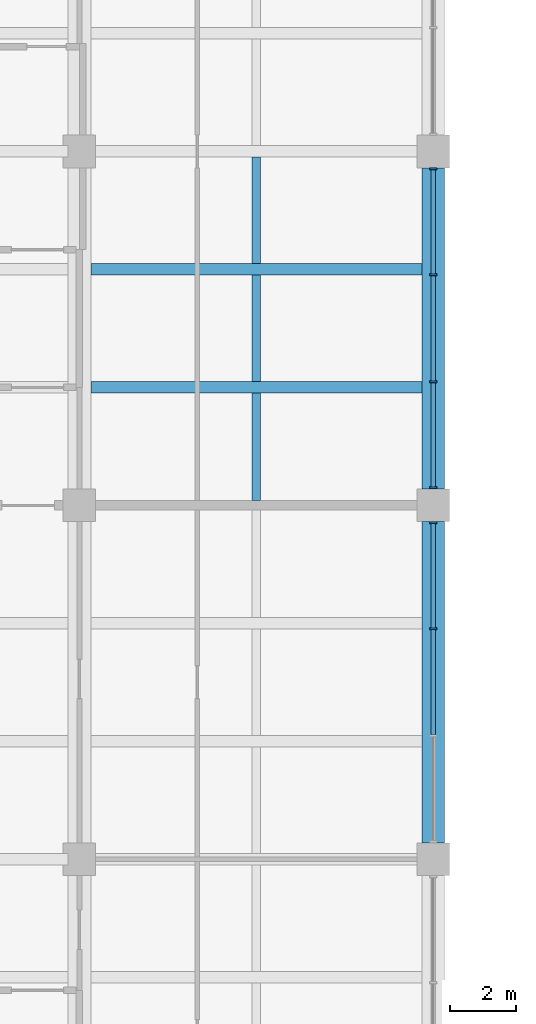
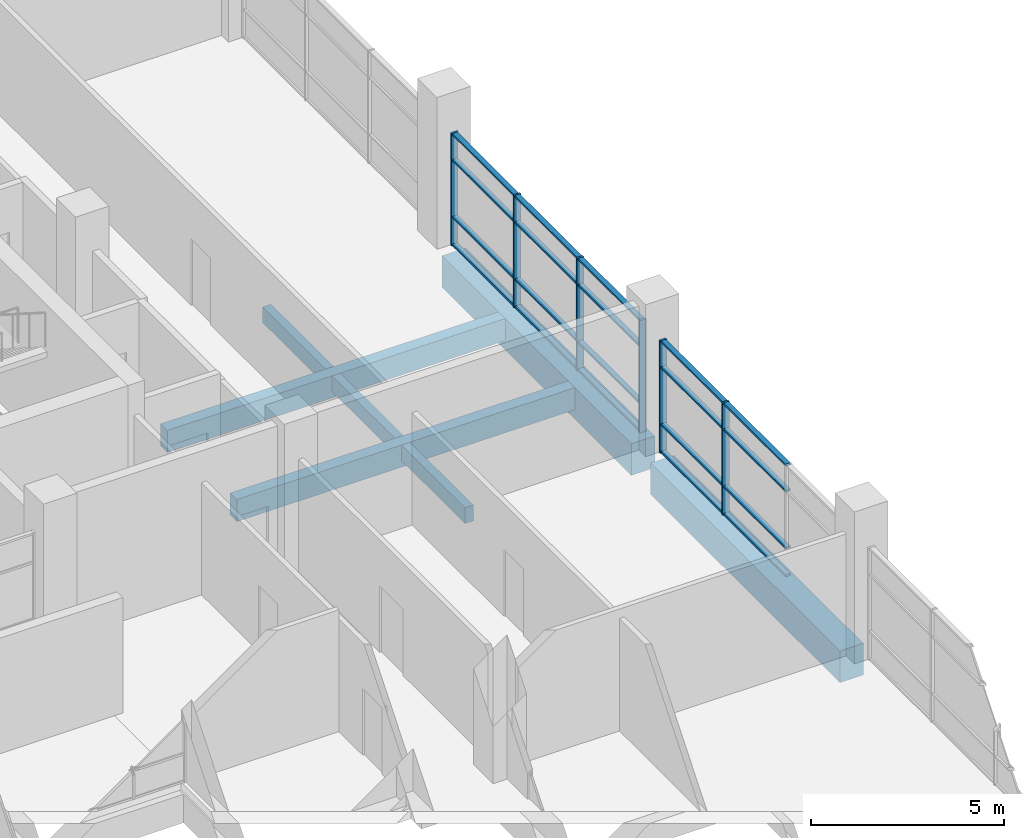
# One storey, part 4 of 30: 26 members, 7 beams, 2 elements without a shape of their own.
"""IFC4 building model written with IfcOpenShell, lengths in metres."""

from ifc_helpers import new_model, si_unit, direction, frame, origin, origin_2d, place, context, subcontext, project, spatial, rectangle, extrude, material, layer, layer_set, material_profile, profile_set, type_object, element, aggregate, save


model = new_model("IFC4")

# Units and contexts
model_context = context("Model", 3, precision=1e-05, world=origin(), true_north=direction((0.0, 1.0)))
body_context = subcontext(model_context, "Body", "Model", "MODEL_VIEW")
ifc_project = project(units=[si_unit("LENGTHUNIT", "METRE"), si_unit("AREAUNIT", "SQUARE_METRE"), si_unit("VOLUMEUNIT", "CUBIC_METRE"), si_unit("PLANEANGLEUNIT", "RADIAN"), si_unit("MASSUNIT", "GRAM", prefix="KILO")], contexts=[model_context])

# Site, building, storey
site_placement = place(None, origin())
site = spatial("IfcSite", under=ifc_project, at=site_placement, CompositionType="ELEMENT")
building_placement = place(site_placement, origin())
building = spatial("IfcBuilding", under=site, at=building_placement, Name="Basin Gate Institute", CompositionType="ELEMENT")
storey_placement = place(building_placement, frame((0.0, 0.0, 36.60009765625)))
storey = spatial("IfcBuildingStorey", under=building, at=storey_placement, Name="L07", CompositionType="ELEMENT", Elevation=36.60009765625)

# Beams
ifc_material_1 = material(Name="Concrete 40 MPa", Category="concrete")
ifc_material_profile_1 = material_profile(ifc_material_1, rectangle(XDim=0.35009765625, YDim=0.699951171875, at=origin_2d()), Name="Beam B1 350 x 700")
ifc_profile_set_1 = profile_set([ifc_material_profile_1], Name="Concrete 40 MPa")
beam_type_1 = type_object("IfcBeamType", Name="Beam B1 R120", PredefinedType="BEAM", material=ifc_profile_set_1)
for number, where, z_axis, x_axis, name in (
    (1, (68.75, 60.300048828125, -0.60009765625), (1.0, 0.0, 0.0), (0.0, 1.0, 0.0), "BEAM/L07/W/EW/08"),
    (2, (68.75, 63.89990234375, -0.60009765625), (1.0, 0.0, 0.0), (0.0, 1.0, 0.0), "BEAM/L07/W/EW/09"),
):
    element("IfcBeam", number, at=place(storey_placement, frame(where, z_axis=z_axis, x_axis=x_axis)), inside=storey, type_object=beam_type_1, material=ifc_profile_set_1, Name=name, PredefinedType="BEAM", context=body_context, shape_type="SweptSolid", body=[
        extrude(rectangle(XDim=0.35009765625, YDim=0.699951171875, at=origin_2d()), origin(), (0.0, 0.0, 1.0), 10.10009765625),
    ])
ifc_material_2 = material(Name="Concrete 50 MPa", Category="concrete")
ifc_material_profile_2 = material_profile(ifc_material_2, rectangle(XDim=0.699951171875, YDim=1.0, at=origin_2d()), Name="Girder G1 700 x 1000")
ifc_profile_set_2 = profile_set([ifc_material_profile_2], Name="Concrete 50 MPa")
beam_type_2 = type_object("IfcBeamType", Name="Girder G1 R120", PredefinedType="BEAM", material=ifc_profile_set_2)
for number, where, z_axis, x_axis, name in (
    (3, (79.199951171875, 46.39990234375, -0.75), (0.0, 1.0, 0.0), (-1.0, 0.0, 0.0), "GIR/L07/W6/2"),
    (4, (79.199951171875, 57.199951171875, -0.75), (0.0, 1.0, 0.0), (-1.0, 0.0, 0.0), "GIR/L07/W6/3"),
):
    element("IfcBeam", number, at=place(storey_placement, frame(where, z_axis=z_axis, x_axis=x_axis)), inside=storey, type_object=beam_type_2, material=ifc_profile_set_2, Name=name, PredefinedType="BEAM", context=body_context, shape_type="SweptSolid", body=[
        extrude(rectangle(XDim=0.699951171875, YDim=1.0, at=origin_2d()), origin(), (0.0, 0.0, 1.0), 9.800048828125),
    ])

# Curtain wall, members
ifc_material_3 = material(Name="Aluminium-framed glazing", Category="aluminium")
ifc_layer = layer(ifc_material_3, 0.199951171875)
ifc_layer_set = layer_set([ifc_layer], Name="Atrium curtain wall CW2")
curtain_wall_type = type_object("IfcCurtainWallType", Name="Atrium curtain wall CW2", PredefinedType="NOTDEFINED", material=ifc_layer_set)
curtain_wall_1_placement = place(storey_placement, origin())
curtain_wall_1 = element("IfcCurtainWall", 5, at=curtain_wall_1_placement, inside=storey, type_object=curtain_wall_type, material=ifc_layer_set, Name="Atrium curtain wall W wing atrium bay 2 L07", PredefinedType="NOTDEFINED")
ifc_material_4 = material(Name="Aluminium", Category="aluminium")
ifc_material_profile_3 = material_profile(ifc_material_4, rectangle(XDim=0.199951171875, YDim=0.06005859375, at=origin_2d()), Name="Mullion MU2 200 x 60")
ifc_profile_set_3 = profile_set([ifc_material_profile_3], Name="Aluminium")
member_type_1 = type_object("IfcMemberType", Name="Mullion MU2", PredefinedType="MULLION", material=ifc_profile_set_3)
member_1_placement = place(storey_placement, frame((79.199951171875, 52.933349609375, 0.0), z_axis=(0.0, 0.0, 1.0), x_axis=(-1.0, 0.0, 0.0)))
member_1 = element("IfcMember", 6, at=member_1_placement, type_object=member_type_1, material=ifc_profile_set_3, Name="CW2 mullion 3", PredefinedType="MULLION", context=body_context, shape_type="SweptSolid", body=[
    extrude(rectangle(XDim=0.199951171875, YDim=0.06005859375, at=origin_2d()), origin(), (0.0, 0.0, 1.0), 3.5498046875),
])
member_2_placement = place(storey_placement, frame((79.199951171875, 56.169921875, 0.0), z_axis=(0.0, 0.0, 1.0), x_axis=(-1.0, 0.0, 0.0)))
member_2 = element("IfcMember", 7, at=member_2_placement, type_object=member_type_1, material=ifc_profile_set_3, Name="CW2 mullion 4", PredefinedType="MULLION", context=body_context, shape_type="SweptSolid", body=[
    extrude(rectangle(XDim=0.199951171875, YDim=0.06005859375, at=origin_2d()), origin(), (0.0, 0.0, 1.0), 3.5498046875),
])

curtain_wall_2_placement = place(storey_placement, origin())
curtain_wall_2 = element("IfcCurtainWall", 8, at=curtain_wall_2_placement, inside=storey, type_object=curtain_wall_type, material=ifc_layer_set, Name="Atrium curtain wall W wing atrium bay 3 L07", PredefinedType="NOTDEFINED")
member_3_placement = place(storey_placement, frame((79.199951171875, 57.22998046875, 0.0), z_axis=(0.0, 0.0, 1.0), x_axis=(-1.0, 0.0, 0.0)))
member_3 = element("IfcMember", 9, at=member_3_placement, type_object=member_type_1, material=ifc_profile_set_3, Name="CW2 mullion 1", PredefinedType="MULLION", context=body_context, shape_type="SweptSolid", body=[
    extrude(rectangle(XDim=0.199951171875, YDim=0.06005859375, at=origin_2d()), origin(), (0.0, 0.0, 1.0), 3.5498046875),
])
member_4_placement = place(storey_placement, frame((79.199951171875, 60.466552734375, 0.0), z_axis=(0.0, 0.0, 1.0), x_axis=(-1.0, 0.0, 0.0)))
member_4 = element("IfcMember", 10, at=member_4_placement, type_object=member_type_1, material=ifc_profile_set_3, Name="CW2 mullion 2", PredefinedType="MULLION", context=body_context, shape_type="SweptSolid", body=[
    extrude(rectangle(XDim=0.199951171875, YDim=0.06005859375, at=origin_2d()), origin(), (0.0, 0.0, 1.0), 3.5498046875),
])
member_5_placement = place(storey_placement, frame((79.199951171875, 63.7333984375, 0.0), z_axis=(0.0, 0.0, 1.0), x_axis=(-1.0, 0.0, 0.0)))
member_5 = element("IfcMember", 11, at=member_5_placement, type_object=member_type_1, material=ifc_profile_set_3, Name="CW2 mullion 3", PredefinedType="MULLION", context=body_context, shape_type="SweptSolid", body=[
    extrude(rectangle(XDim=0.199951171875, YDim=0.06005859375, at=origin_2d()), origin(), (0.0, 0.0, 1.0), 3.5498046875),
])
member_6_placement = place(storey_placement, frame((79.199951171875, 66.969970703125, 0.0), z_axis=(0.0, 0.0, 1.0), x_axis=(-1.0, 0.0, 0.0)))
member_6 = element("IfcMember", 12, at=member_6_placement, type_object=member_type_1, material=ifc_profile_set_3, Name="CW2 mullion 4", PredefinedType="MULLION", context=body_context, shape_type="SweptSolid", body=[
    extrude(rectangle(XDim=0.199951171875, YDim=0.06005859375, at=origin_2d()), origin(), (0.0, 0.0, 1.0), 3.5498046875),
])

# Beams
ifc_material_5 = material(Name="Concrete 40 MPa", Category="concrete")
ifc_material_profile_4 = material_profile(ifc_material_5, rectangle(XDim=0.25, YDim=0.5, at=origin_2d()), Name="Rib R1 250 x 500")
ifc_profile_set_4 = profile_set([ifc_material_profile_4], Name="Concrete 40 MPa")
beam_type_3 = type_object("IfcBeamType", Name="Rib R1 R120", PredefinedType="JOIST", material=ifc_profile_set_4)
beam_placement = place(storey_placement, frame((73.800048828125, 56.85009765625, -0.5), z_axis=(0.0, 1.0, 0.0), x_axis=(-1.0, 0.0, 0.0)))
element("IfcBeam", 13, at=beam_placement, inside=storey, type_object=beam_type_3, material=ifc_profile_set_4, Name="BEAM/L07/W/RIB/07", PredefinedType="JOIST", context=body_context, shape_type="SweptSolid", body=[
    extrude(rectangle(XDim=0.25, YDim=0.5, at=origin_2d()), origin(), (0.0, 0.0, 1.0), 3.27490234375),
])
for number, where, z_axis, x_axis, name in (
    (14, (73.800048828125, 60.47509765625, -0.5), (0.0, 1.0, 0.0), (-1.0, 0.0, 0.0), "BEAM/L07/W/RIB/08"),
    (15, (73.800048828125, 64.074951171875, -0.5), (0.0, 1.0, 0.0), (-1.0, 0.0, 0.0), "BEAM/L07/W/RIB/09"),
):
    element("IfcBeam", number, at=place(storey_placement, frame(where, z_axis=z_axis, x_axis=x_axis)), inside=storey, type_object=beam_type_3, material=ifc_profile_set_4, Name=name, PredefinedType="JOIST", context=body_context, shape_type="SweptSolid", body=[
        extrude(rectangle(XDim=0.25, YDim=0.5, at=origin_2d()), origin(), (0.0, 0.0, 1.0), 3.25),
    ])

# Member
ifc_material_6 = material(Name="Aluminium", Category="aluminium")
ifc_material_profile_5 = material_profile(ifc_material_6, rectangle(XDim=0.14990234375, YDim=0.06005859375, at=origin_2d()), Name="Transom TR2 150 x 60")
ifc_profile_set_5 = profile_set([ifc_material_profile_5], Name="Aluminium")
member_type_2 = type_object("IfcMemberType", Name="Transom TR2", PredefinedType="USERDEFINED", material=ifc_profile_set_5)
member_7_placement = place(storey_placement, frame((79.199951171875, 49.69677734375, 0.02978515625), z_axis=(0.0, 1.0, 0.0), x_axis=(-1.0, 0.0, 0.0)))
member_7 = element("IfcMember", 16, at=member_7_placement, type_object=member_type_2, material=ifc_profile_set_5, Name="CW2 transom 2.1", ObjectType="TRANSOM", PredefinedType="USERDEFINED", context=body_context, shape_type="SweptSolid", body=[
    extrude(rectangle(XDim=0.14990234375, YDim=0.06005859375, at=origin_2d()), origin(), (0.0, 0.0, 1.0), 3.20654296875),
])

member_8_placement = place(storey_placement, frame((79.199951171875, 49.69677734375, 0.89990234375), z_axis=(0.0, 1.0, 0.0), x_axis=(-1.0, 0.0, 0.0)))
member_8 = element("IfcMember", 17, at=member_8_placement, type_object=member_type_2, material=ifc_profile_set_5, Name="CW2 transom 2.2", ObjectType="TRANSOM", PredefinedType="USERDEFINED", context=body_context, shape_type="SweptSolid", body=[
    extrude(rectangle(XDim=0.14990234375, YDim=0.06005859375, at=origin_2d()), origin(), (0.0, 0.0, 1.0), 3.20654296875),
])

member_9_placement = place(storey_placement, frame((79.199951171875, 49.69677734375, 2.699951171875), z_axis=(0.0, 1.0, 0.0), x_axis=(-1.0, 0.0, 0.0)))
member_9 = element("IfcMember", 18, at=member_9_placement, type_object=member_type_2, material=ifc_profile_set_5, Name="CW2 transom 2.3", ObjectType="TRANSOM", PredefinedType="USERDEFINED", context=body_context, shape_type="SweptSolid", body=[
    extrude(rectangle(XDim=0.14990234375, YDim=0.06005859375, at=origin_2d()), origin(), (0.0, 0.0, 1.0), 3.20654296875),
])

member_10_placement = place(storey_placement, frame((79.199951171875, 49.69677734375, 3.52001953125), z_axis=(0.0, 1.0, 0.0), x_axis=(-1.0, 0.0, 0.0)))
member_10 = element("IfcMember", 19, at=member_10_placement, type_object=member_type_2, material=ifc_profile_set_5, Name="CW2 transom 2.4", ObjectType="TRANSOM", PredefinedType="USERDEFINED", context=body_context, shape_type="SweptSolid", body=[
    extrude(rectangle(XDim=0.14990234375, YDim=0.06005859375, at=origin_2d()), origin(), (0.0, 0.0, 1.0), 3.20654296875),
])

member_11_placement = place(storey_placement, frame((79.199951171875, 52.96337890625, 0.02978515625), z_axis=(0.0, 1.0, 0.0), x_axis=(-1.0, 0.0, 0.0)))
member_11 = element("IfcMember", 20, at=member_11_placement, type_object=member_type_2, material=ifc_profile_set_5, Name="CW2 transom 3.1", ObjectType="TRANSOM", PredefinedType="USERDEFINED", context=body_context, shape_type="SweptSolid", body=[
    extrude(rectangle(XDim=0.14990234375, YDim=0.06005859375, at=origin_2d()), origin(), (0.0, 0.0, 1.0), 3.176513671875),
])

member_12_placement = place(storey_placement, frame((79.199951171875, 52.96337890625, 0.89990234375), z_axis=(0.0, 1.0, 0.0), x_axis=(-1.0, 0.0, 0.0)))
member_12 = element("IfcMember", 21, at=member_12_placement, type_object=member_type_2, material=ifc_profile_set_5, Name="CW2 transom 3.2", ObjectType="TRANSOM", PredefinedType="USERDEFINED", context=body_context, shape_type="SweptSolid", body=[
    extrude(rectangle(XDim=0.14990234375, YDim=0.06005859375, at=origin_2d()), origin(), (0.0, 0.0, 1.0), 3.176513671875),
])

member_13_placement = place(storey_placement, frame((79.199951171875, 52.96337890625, 2.699951171875), z_axis=(0.0, 1.0, 0.0), x_axis=(-1.0, 0.0, 0.0)))
member_13 = element("IfcMember", 22, at=member_13_placement, type_object=member_type_2, material=ifc_profile_set_5, Name="CW2 transom 3.3", ObjectType="TRANSOM", PredefinedType="USERDEFINED", context=body_context, shape_type="SweptSolid", body=[
    extrude(rectangle(XDim=0.14990234375, YDim=0.06005859375, at=origin_2d()), origin(), (0.0, 0.0, 1.0), 3.176513671875),
])

member_14_placement = place(storey_placement, frame((79.199951171875, 52.96337890625, 3.52001953125), z_axis=(0.0, 1.0, 0.0), x_axis=(-1.0, 0.0, 0.0)))
member_14 = element("IfcMember", 23, at=member_14_placement, type_object=member_type_2, material=ifc_profile_set_5, Name="CW2 transom 3.4", ObjectType="TRANSOM", PredefinedType="USERDEFINED", context=body_context, shape_type="SweptSolid", body=[
    extrude(rectangle(XDim=0.14990234375, YDim=0.06005859375, at=origin_2d()), origin(), (0.0, 0.0, 1.0), 3.176513671875),
])

aggregate(curtain_wall_1, [member_1, member_2, member_7, member_8, member_9, member_10, member_11, member_12, member_13, member_14])

member_15_placement = place(storey_placement, frame((79.199951171875, 57.260009765625, 0.02978515625), z_axis=(0.0, 1.0, 0.0), x_axis=(-1.0, 0.0, 0.0)))
member_15 = element("IfcMember", 24, at=member_15_placement, type_object=member_type_2, material=ifc_profile_set_5, Name="CW2 transom 1.1", ObjectType="TRANSOM", PredefinedType="USERDEFINED", context=body_context, shape_type="SweptSolid", body=[
    extrude(rectangle(XDim=0.14990234375, YDim=0.06005859375, at=origin_2d()), origin(), (0.0, 0.0, 1.0), 3.1767578125),
])

member_16_placement = place(storey_placement, frame((79.199951171875, 57.260009765625, 0.89990234375), z_axis=(0.0, 1.0, 0.0), x_axis=(-1.0, 0.0, 0.0)))
member_16 = element("IfcMember", 25, at=member_16_placement, type_object=member_type_2, material=ifc_profile_set_5, Name="CW2 transom 1.2", ObjectType="TRANSOM", PredefinedType="USERDEFINED", context=body_context, shape_type="SweptSolid", body=[
    extrude(rectangle(XDim=0.14990234375, YDim=0.06005859375, at=origin_2d()), origin(), (0.0, 0.0, 1.0), 3.1767578125),
])

member_17_placement = place(storey_placement, frame((79.199951171875, 57.260009765625, 2.699951171875), z_axis=(0.0, 1.0, 0.0), x_axis=(-1.0, 0.0, 0.0)))
member_17 = element("IfcMember", 26, at=member_17_placement, type_object=member_type_2, material=ifc_profile_set_5, Name="CW2 transom 1.3", ObjectType="TRANSOM", PredefinedType="USERDEFINED", context=body_context, shape_type="SweptSolid", body=[
    extrude(rectangle(XDim=0.14990234375, YDim=0.06005859375, at=origin_2d()), origin(), (0.0, 0.0, 1.0), 3.1767578125),
])

member_18_placement = place(storey_placement, frame((79.199951171875, 57.260009765625, 3.52001953125), z_axis=(0.0, 1.0, 0.0), x_axis=(-1.0, 0.0, 0.0)))
member_18 = element("IfcMember", 27, at=member_18_placement, type_object=member_type_2, material=ifc_profile_set_5, Name="CW2 transom 1.4", ObjectType="TRANSOM", PredefinedType="USERDEFINED", context=body_context, shape_type="SweptSolid", body=[
    extrude(rectangle(XDim=0.14990234375, YDim=0.06005859375, at=origin_2d()), origin(), (0.0, 0.0, 1.0), 3.1767578125),
])

member_19_placement = place(storey_placement, frame((79.199951171875, 60.49658203125, 0.02978515625), z_axis=(0.0, 1.0, 0.0), x_axis=(-1.0, 0.0, 0.0)))
member_19 = element("IfcMember", 28, at=member_19_placement, type_object=member_type_2, material=ifc_profile_set_5, Name="CW2 transom 2.1", ObjectType="TRANSOM", PredefinedType="USERDEFINED", context=body_context, shape_type="SweptSolid", body=[
    extrude(rectangle(XDim=0.14990234375, YDim=0.06005859375, at=origin_2d()), origin(), (0.0, 0.0, 1.0), 3.206787109375),
])

member_20_placement = place(storey_placement, frame((79.199951171875, 60.49658203125, 0.89990234375), z_axis=(0.0, 1.0, 0.0), x_axis=(-1.0, 0.0, 0.0)))
member_20 = element("IfcMember", 29, at=member_20_placement, type_object=member_type_2, material=ifc_profile_set_5, Name="CW2 transom 2.2", ObjectType="TRANSOM", PredefinedType="USERDEFINED", context=body_context, shape_type="SweptSolid", body=[
    extrude(rectangle(XDim=0.14990234375, YDim=0.06005859375, at=origin_2d()), origin(), (0.0, 0.0, 1.0), 3.206787109375),
])

member_21_placement = place(storey_placement, frame((79.199951171875, 60.49658203125, 2.699951171875), z_axis=(0.0, 1.0, 0.0), x_axis=(-1.0, 0.0, 0.0)))
member_21 = element("IfcMember", 30, at=member_21_placement, type_object=member_type_2, material=ifc_profile_set_5, Name="CW2 transom 2.3", ObjectType="TRANSOM", PredefinedType="USERDEFINED", context=body_context, shape_type="SweptSolid", body=[
    extrude(rectangle(XDim=0.14990234375, YDim=0.06005859375, at=origin_2d()), origin(), (0.0, 0.0, 1.0), 3.206787109375),
])

member_22_placement = place(storey_placement, frame((79.199951171875, 60.49658203125, 3.52001953125), z_axis=(0.0, 1.0, 0.0), x_axis=(-1.0, 0.0, 0.0)))
member_22 = element("IfcMember", 31, at=member_22_placement, type_object=member_type_2, material=ifc_profile_set_5, Name="CW2 transom 2.4", ObjectType="TRANSOM", PredefinedType="USERDEFINED", context=body_context, shape_type="SweptSolid", body=[
    extrude(rectangle(XDim=0.14990234375, YDim=0.06005859375, at=origin_2d()), origin(), (0.0, 0.0, 1.0), 3.206787109375),
])

member_23_placement = place(storey_placement, frame((79.199951171875, 63.763427734375, 0.02978515625), z_axis=(0.0, 1.0, 0.0), x_axis=(-1.0, 0.0, 0.0)))
member_23 = element("IfcMember", 32, at=member_23_placement, type_object=member_type_2, material=ifc_profile_set_5, Name="CW2 transom 3.1", ObjectType="TRANSOM", PredefinedType="USERDEFINED", context=body_context, shape_type="SweptSolid", body=[
    extrude(rectangle(XDim=0.14990234375, YDim=0.06005859375, at=origin_2d()), origin(), (0.0, 0.0, 1.0), 3.176513671875),
])

member_24_placement = place(storey_placement, frame((79.199951171875, 63.763427734375, 0.89990234375), z_axis=(0.0, 1.0, 0.0), x_axis=(-1.0, 0.0, 0.0)))
member_24 = element("IfcMember", 33, at=member_24_placement, type_object=member_type_2, material=ifc_profile_set_5, Name="CW2 transom 3.2", ObjectType="TRANSOM", PredefinedType="USERDEFINED", context=body_context, shape_type="SweptSolid", body=[
    extrude(rectangle(XDim=0.14990234375, YDim=0.06005859375, at=origin_2d()), origin(), (0.0, 0.0, 1.0), 3.176513671875),
])

member_25_placement = place(storey_placement, frame((79.199951171875, 63.763427734375, 2.699951171875), z_axis=(0.0, 1.0, 0.0), x_axis=(-1.0, 0.0, 0.0)))
member_25 = element("IfcMember", 34, at=member_25_placement, type_object=member_type_2, material=ifc_profile_set_5, Name="CW2 transom 3.3", ObjectType="TRANSOM", PredefinedType="USERDEFINED", context=body_context, shape_type="SweptSolid", body=[
    extrude(rectangle(XDim=0.14990234375, YDim=0.06005859375, at=origin_2d()), origin(), (0.0, 0.0, 1.0), 3.176513671875),
])

member_26_placement = place(storey_placement, frame((79.199951171875, 63.763427734375, 3.52001953125), z_axis=(0.0, 1.0, 0.0), x_axis=(-1.0, 0.0, 0.0)))
member_26 = element("IfcMember", 35, at=member_26_placement, type_object=member_type_2, material=ifc_profile_set_5, Name="CW2 transom 3.4", ObjectType="TRANSOM", PredefinedType="USERDEFINED", context=body_context, shape_type="SweptSolid", body=[
    extrude(rectangle(XDim=0.14990234375, YDim=0.06005859375, at=origin_2d()), origin(), (0.0, 0.0, 1.0), 3.176513671875),
])

aggregate(curtain_wall_2, [member_3, member_4, member_5, member_6, member_15, member_16, member_17, member_18, member_19, member_20, member_21, member_22, member_23, member_24, member_25, member_26])

save(model, "model.ifc")
